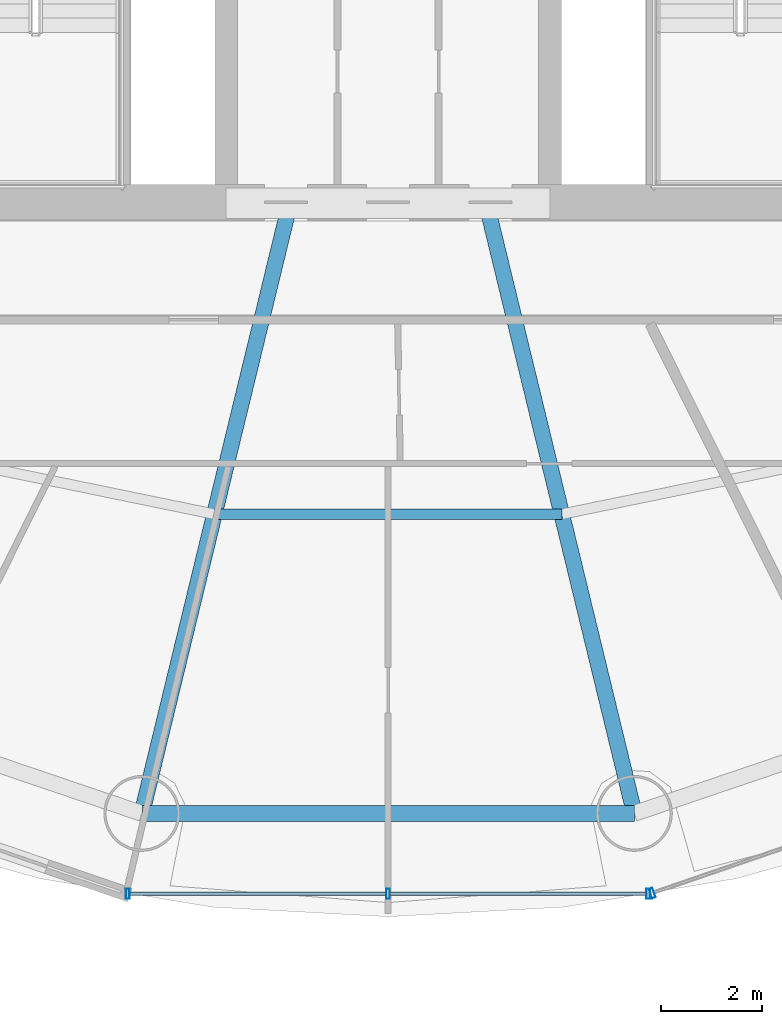
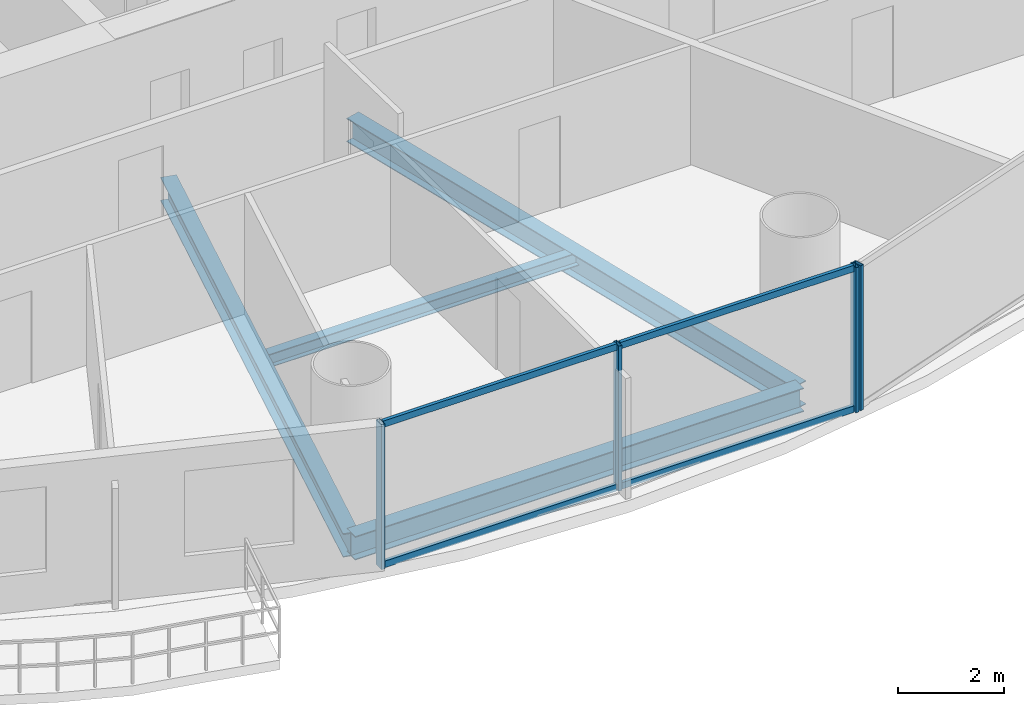
# One storey, part 4 of 28: 8 members, 4 beams, 2 elements without a shape of their own.
"""IFC4 building model written with IfcOpenShell, lengths in metres."""

from ifc_helpers import new_model, si_unit, direction, frame, origin, origin_2d, place, context, subcontext, project, spatial, hollow_rectangle, i_section, extrude, source, transform, mapped, material, material_profile, profile_set, type_object, element, aggregate, save


model = new_model("IFC4")

# Units and contexts
model_context = context("Model", 3, precision=1e-05, world=origin(), true_north=direction((-0.2419218956, 0.970295726276)))
body_context = subcontext(model_context, "Body", "Model", "MODEL_VIEW")
ifc_project = project(units=[si_unit("LENGTHUNIT", "METRE"), si_unit("AREAUNIT", "SQUARE_METRE"), si_unit("VOLUMEUNIT", "CUBIC_METRE"), si_unit("PLANEANGLEUNIT", "RADIAN"), si_unit("MASSUNIT", "GRAM", prefix="KILO")], contexts=[model_context])

# Site, building, storey
site_placement = place(None, origin())
site = spatial("IfcSite", under=ifc_project, at=site_placement, CompositionType="ELEMENT")
building_placement = place(site_placement, origin())
building = spatial("IfcBuilding", under=site, at=building_placement, Name="Cobrevalo Terracotta Tower", CompositionType="ELEMENT")
storey_placement = place(building_placement, frame((0.0, 0.0, 105.0)))
storey = spatial("IfcBuildingStorey", under=building, at=storey_placement, Name="L27", CompositionType="ELEMENT", Elevation=105.0)

# Beams
ifc_material_1 = material(Name="Steel S355", Category="steel")
ifc_material_profile_1 = material_profile(ifc_material_1, i_section(OverallWidth=0.31201171875, OverallDepth=0.54296875, WebThickness=0.0126953125, FlangeThickness=0.020263671875, at=origin_2d()), Name="W 530x150")
ifc_profile_set_1 = profile_set([ifc_material_profile_1], Name="Steel S355")
beam_type_1 = type_object("IfcBeamType", Name="Structural Beam W 530x150 (Steel S355)", PredefinedType="BEAM", material=ifc_profile_set_1)
for number, where, z_axis, x_axis, name in (
    (1, (33.132568359375, 6.742919921875, -0.54638671875), (0.235827379387, 0.971794961467, 0.0), (-0.971794961467, 0.235827379387, 0.0), "L27 radial floor girder 12"),
    (2, (42.867431640625, 6.742919921875, -0.54638671875), (-0.235827379387, 0.971794961467, 0.0), (-0.971794961467, -0.235827379387, 0.0), "L27 radial floor girder 13"),
):
    element("IfcBeam", number, at=place(storey_placement, frame(where, z_axis=z_axis, x_axis=x_axis)), inside=storey, type_object=beam_type_1, Name=name, PredefinedType="BEAM", context=body_context, shape_type="SweptSolid", body=[
        extrude(i_section(OverallWidth=0.31201171875, OverallDepth=0.54296875, WebThickness=0.0126953125, FlangeThickness=0.020263671875, at=origin_2d()), origin(), (0.0, 0.0, 1.0), 12.17041015625),
    ])
ifc_material_profile_2 = material_profile(ifc_material_1, i_section(OverallWidth=0.2041015625, OverallDepth=0.305908203125, WebThickness=0.008544921875, FlangeThickness=0.0146484375, at=origin_2d()), Name="W 310x67")
ifc_profile_set_2 = profile_set([ifc_material_profile_2], Name="Steel S355")
beam_type_2 = type_object("IfcBeamType", Name="Structural Joist W 310x67 (Steel S355)", PredefinedType="JOIST", material=ifc_profile_set_2)
beam_1_placement = place(storey_placement, frame((34.567626953125, 12.656494140625, -0.427978515625), z_axis=(1.0, 0.0, 0.0), x_axis=(0.0, 1.0, 0.0)))
element("IfcBeam", 3, at=beam_1_placement, inside=storey, type_object=beam_type_2, Name="L27 circumferential secondary floor joist 12", PredefinedType="JOIST", context=body_context, shape_type="SweptSolid", body=[
    extrude(i_section(OverallWidth=0.2041015625, OverallDepth=0.305908203125, WebThickness=0.008544921875, FlangeThickness=0.0146484375, at=origin_2d()), origin(), (0.0, 0.0, 1.0), 6.86474609375),
])
ifc_material_profile_3 = material_profile(ifc_material_1, i_section(OverallWidth=0.31201171875, OverallDepth=0.54296875, WebThickness=0.0126953125, FlangeThickness=0.020263671875, at=origin_2d()), Name="W 530x150")
ifc_profile_set_3 = profile_set([ifc_material_profile_3], Name="Steel S355")
beam_type_3 = type_object("IfcBeamType", Name="Structural Spandrel W 530x150 (Steel S355)", PredefinedType="SPANDREL", material=ifc_profile_set_3)
beam_2_placement = place(storey_placement, frame((33.132568359375, 6.742919921875, -0.54638671875), z_axis=(1.0, 0.0, 0.0), x_axis=(0.0, 1.0, 0.0)))
element("IfcBeam", 4, at=beam_2_placement, inside=storey, type_object=beam_type_3, Name="L27 perimeter ring spandrel 12", PredefinedType="SPANDREL", context=body_context, shape_type="SweptSolid", body=[
    extrude(i_section(OverallWidth=0.31201171875, OverallDepth=0.54296875, WebThickness=0.0126953125, FlangeThickness=0.020263671875, at=origin_2d()), origin(), (0.0, 0.0, 1.0), 9.73486328125),
])

# Curtain wall, members
ifc_material_2 = material(Name="Anodized aluminium", Category="aluminium")
curtain_wall_type = type_object("IfcCurtainWallType", Name="Lower-tower unitised acoustic low-E curtain wall CW-U1", PredefinedType="NOTDEFINED", material=ifc_material_2)
curtain_wall_1_placement = place(storey_placement, origin())
curtain_wall_1 = element("IfcCurtainWall", 5, at=curtain_wall_1_placement, inside=storey, type_object=curtain_wall_type, Name="L27 curtain wall CW-L27-S12", PredefinedType="NOTDEFINED")
ifc_material_profile_4 = material_profile(ifc_material_2, hollow_rectangle(XDim=0.074951171875, YDim=0.199951171875, WallThickness=0.0048828125, at=origin_2d()), Name="CWM 75x200")
ifc_profile_set_4 = profile_set([ifc_material_profile_4], Name="Anodized aluminium")
member_type_1 = type_object("IfcMemberType", Name="Lower/mid tower unitised mullion 75x200", PredefinedType="MULLION", material=ifc_profile_set_4)
shared_shape_1 = source(origin(), body_context, "Body", "SweptSolid", [
    extrude(hollow_rectangle(XDim=0.074951171875, YDim=0.199951171875, WallThickness=0.0048828125, at=origin_2d()), origin(), (0.0, 0.0, 1.0), 3.324951171875),
])
member_1_placement = place(storey_placement, frame((32.8564453125, 5.154052734375, 0.0), z_axis=(0.0, 0.0, 1.0), x_axis=(1.0, 0.0, 0.0)))
member_1 = element("IfcMember", 6, at=member_1_placement, type_object=member_type_1, Name="CW-L27-S12 vertical mullion 01", PredefinedType="MULLION", context=body_context, shape_type="MappedRepresentation", body=[
    mapped(shared_shape_1, transform((0.0, 0.0, 0.0), scale=1.0)),
])
member_2_placement = place(storey_placement, frame((38.0, 5.154052734375, 0.0), z_axis=(0.0, 0.0, 1.0), x_axis=(1.0, 0.0, 0.0)))
member_2 = element("IfcMember", 7, at=member_2_placement, type_object=member_type_1, Name="CW-L27-S12 vertical mullion 02", PredefinedType="MULLION", context=body_context, shape_type="MappedRepresentation", body=[
    mapped(shared_shape_1, transform((0.0, 0.0, 0.0), scale=1.0)),
])
member_3_placement = place(storey_placement, frame((43.1435546875, 5.154052734375, 0.0), z_axis=(0.0, 0.0, 1.0), x_axis=(1.0, 0.0, 0.0)))
member_3 = element("IfcMember", 8, at=member_3_placement, type_object=member_type_1, Name="CW-L27-S12 vertical mullion 03", PredefinedType="MULLION", context=body_context, shape_type="MappedRepresentation", body=[
    mapped(shared_shape_1, transform((0.0, 0.0, 0.0), scale=1.0)),
])

# Curtain wall, member
curtain_wall_2_placement = place(storey_placement, origin())
curtain_wall_2 = element("IfcCurtainWall", 9, at=curtain_wall_2_placement, inside=storey, type_object=curtain_wall_type, Name="L27 curtain wall CW-L27-S13", PredefinedType="NOTDEFINED")
member_4_placement = place(storey_placement, frame((43.221435546875, 5.1669921875, 0.0), z_axis=(0.0, 0.0, 1.0), x_axis=(0.94559809868, 0.325337110968, 0.0)))
member_4 = element("IfcMember", 10, at=member_4_placement, type_object=member_type_1, Name="CW-L27-S13 vertical mullion 01", PredefinedType="MULLION", context=body_context, shape_type="MappedRepresentation", body=[
    mapped(shared_shape_1, transform((0.0, 0.0, 0.0), scale=1.0)),
])
aggregate(curtain_wall_2, [member_4])

# Member
ifc_material_profile_5 = material_profile(ifc_material_2, hollow_rectangle(XDim=0.074951171875, YDim=0.14990234375, WallThickness=0.00439453125, at=origin_2d()), Name="CWT 75x150")
ifc_profile_set_5 = profile_set([ifc_material_profile_5], Name="Anodized aluminium")
member_type_2 = type_object("IfcMemberType", Name="Tower unitised aluminium transom 75x150", PredefinedType="USERDEFINED", material=ifc_profile_set_5)
shared_shape_2 = source(origin(), body_context, "Body", "SweptSolid", [
    extrude(hollow_rectangle(XDim=0.074951171875, YDim=0.14990234375, WallThickness=0.00439453125, at=origin_2d()), origin(), (0.0, 0.0, 1.0), 5.0634765625),
])
member_5_placement = place(storey_placement, frame((32.896484375, 5.154052734375, 0.050048828125), z_axis=(1.0, 0.0, 0.0), x_axis=(0.0, 1.0, 0.0)))
member_5 = element("IfcMember", 11, at=member_5_placement, type_object=member_type_2, Name="CW-L27-S12 transom B01-T1", ObjectType="TRANSOM", PredefinedType="USERDEFINED", context=body_context, shape_type="MappedRepresentation", body=[
    mapped(shared_shape_2, transform((0.0, 0.0, 0.0), scale=1.0)),
])

member_6_placement = place(storey_placement, frame((32.896484375, 5.154052734375, 3.27490234375), z_axis=(1.0, 0.0, 0.0), x_axis=(0.0, 1.0, 0.0)))
member_6 = element("IfcMember", 12, at=member_6_placement, type_object=member_type_2, Name="CW-L27-S12 transom B01-T2", ObjectType="TRANSOM", PredefinedType="USERDEFINED", context=body_context, shape_type="MappedRepresentation", body=[
    mapped(shared_shape_2, transform((0.0, 0.0, 0.0), scale=1.0)),
])

member_7_placement = place(storey_placement, frame((38.0400390625, 5.154052734375, 0.050048828125), z_axis=(1.0, 0.0, 0.0), x_axis=(0.0, 1.0, 0.0)))
member_7 = element("IfcMember", 13, at=member_7_placement, type_object=member_type_2, Name="CW-L27-S12 transom B02-T1", ObjectType="TRANSOM", PredefinedType="USERDEFINED", context=body_context, shape_type="MappedRepresentation", body=[
    mapped(shared_shape_2, transform((0.0, 0.0, 0.0), scale=1.0)),
])

member_8_placement = place(storey_placement, frame((38.0400390625, 5.154052734375, 3.27490234375), z_axis=(1.0, 0.0, 0.0), x_axis=(0.0, 1.0, 0.0)))
member_8 = element("IfcMember", 14, at=member_8_placement, type_object=member_type_2, Name="CW-L27-S12 transom B02-T2", ObjectType="TRANSOM", PredefinedType="USERDEFINED", context=body_context, shape_type="MappedRepresentation", body=[
    mapped(shared_shape_2, transform((0.0, 0.0, 0.0), scale=1.0)),
])

aggregate(curtain_wall_1, [member_1, member_2, member_3, member_5, member_6, member_7, member_8])

save(model, "model.ifc")
